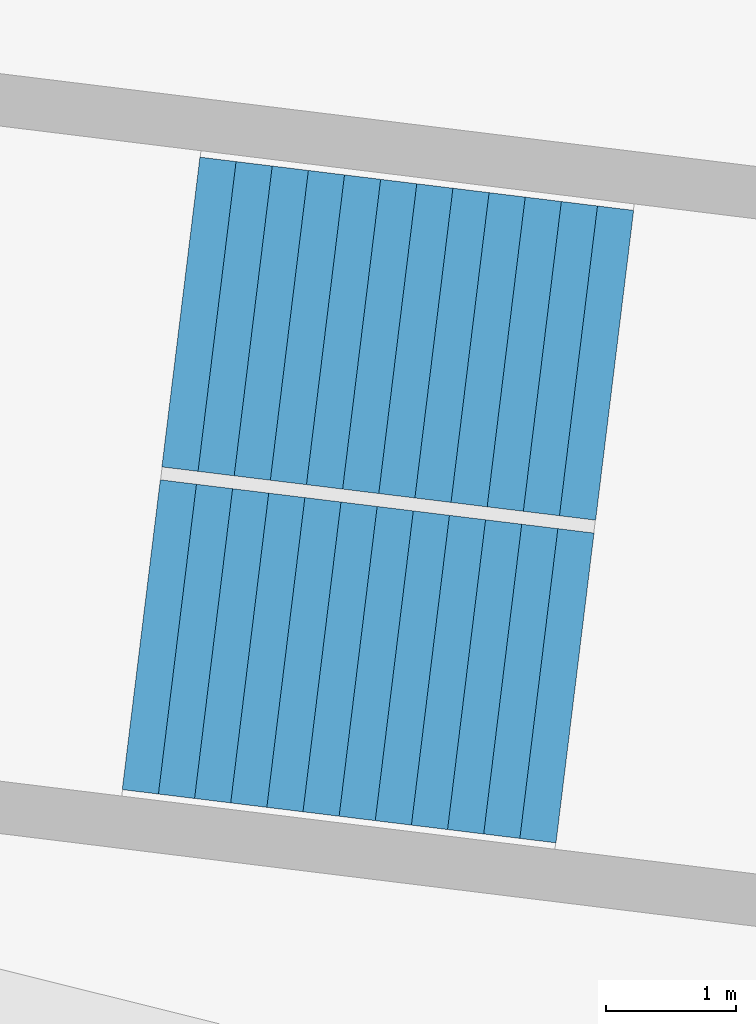
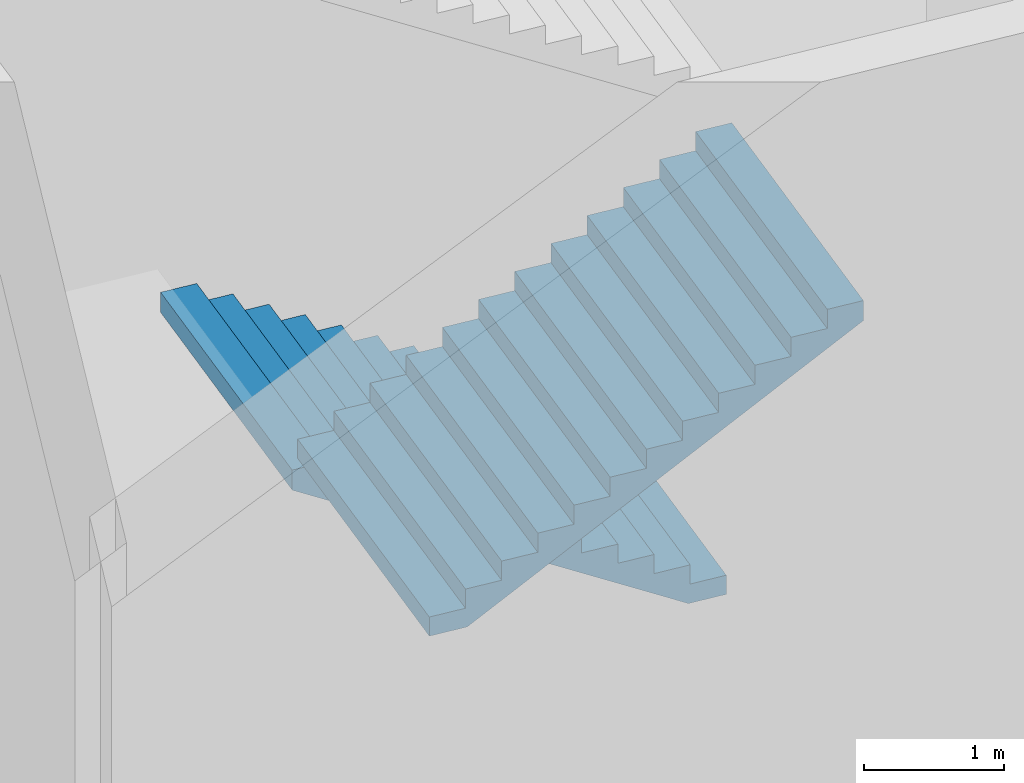
# One storey, part 38 of 47: 2 stair flights, 1 element without a shape of its own.
"""IFC4 building model written with IfcOpenShell, lengths in metres."""

from ifc_helpers import new_model, si_unit, direction, frame, origin, place, context, subcontext, project, spatial, triangles, material, type_object, element, aggregate, save


model = new_model("IFC4")

# Units and contexts
model_context = context("Model", 3, precision=1e-05, world=origin(), true_north=direction((0.0, 1.0)))
body_context = subcontext(model_context, "Body", "Model", "MODEL_VIEW")
ifc_project = project(units=[si_unit("LENGTHUNIT", "METRE"), si_unit("AREAUNIT", "SQUARE_METRE"), si_unit("VOLUMEUNIT", "CUBIC_METRE"), si_unit("PLANEANGLEUNIT", "RADIAN"), si_unit("MASSUNIT", "GRAM", prefix="KILO")], contexts=[model_context])

# Site, building, storey
site_placement = place(None, origin())
site = spatial("IfcSite", under=ifc_project, at=site_placement, CompositionType="ELEMENT")
building_placement = place(site_placement, origin())
building = spatial("IfcBuilding", under=site, at=building_placement, Name="Lantaw Convention Tower", CompositionType="ELEMENT")
storey_placement = place(building_placement, origin())
storey = spatial("IfcBuildingStorey", under=building, at=storey_placement, Name="L00", CompositionType="ELEMENT", Elevation=0.0)

# Stair, stair flights
ifc_material = material(Name="Concrete C35/45", Category="concrete")
stair_type = type_object("IfcStairType", Name="Exit stair 2400 riser 166.67 in 3 flights", PredefinedType="HALF_TURN_STAIR", material=ifc_material)
stair_placement = place(storey_placement, origin())
stair = element("IfcStair", 1, at=stair_placement, inside=storey, type_object=stair_type, Name="Podium exit stair P13 L00", PredefinedType="HALF_TURN_STAIR")
stair_flight_type = type_object("IfcStairFlightType", Name="Stair flight 2400 riser 166.67", PredefinedType="STRAIGHT", material=ifc_material)
stair_flight_1_placement = place(storey_placement, frame((38.4970703125, -3.467529296875, 0.0), z_axis=(0.0, 0.0, 1.0), x_axis=(-0.992546151641, 0.121869343405, 0.0)))
stair_flight_1 = element("IfcStairFlight", 2, at=stair_flight_1_placement, type_object=stair_flight_type, Name="P13 flight 1", NumberOfRisers=13, NumberOfTreads=12, PredefinedType="STRAIGHT", RiserHeight=0.166666667, TreadLength=0.28, context=body_context, shape_type="Tessellation", body=[
    triangles([(0.0, 1.199951171875, 0.0), (0.0, 1.199951171875, 0.166666667), (0.28, 1.199951171875, 0.0), (0.28, 1.199951171875, 0.166666667), (0.28, 1.199951171875, 0.333333334), (0.29307345806906815, 1.199951171875, 0.0), (0.29307345806906815, 1.199951171875, 0.333333334), (0.56, 1.199951171875, 0.15888484670522912), (0.56, 1.199951171875, 0.333333334), (0.56, 1.199951171875, 0.500000001), (0.8400000000000001, 1.199951171875, 0.3255515137052291), (0.8400000000000001, 1.199951171875, 0.500000001), (0.8400000000000001, 1.199951171875, 0.666666668), (1.12, 1.199951171875, 0.49221818070522905), (1.12, 1.199951171875, 0.666666668), (1.12, 1.199951171875, 0.833333335), (1.4000000000000001, 1.199951171875, 0.658884847705229), (1.4000000000000001, 1.199951171875, 0.833333335), (1.4000000000000001, 1.199951171875, 1.000000002), (1.6800000000000002, 1.199951171875, 0.825551514705229), (1.6800000000000002, 1.199951171875, 1.000000002), (1.6800000000000002, 1.199951171875, 1.166666669), (1.9600000000000002, 1.199951171875, 0.992218181705229), (1.9600000000000002, 1.199951171875, 1.166666669), (1.9600000000000002, 1.199951171875, 1.333333336), (2.24, 1.199951171875, 1.158884848705229), (2.24, 1.199951171875, 1.333333336), (2.24, 1.199951171875, 1.5000000029999998), (2.5200000000000005, 1.199951171875, 1.325551515705229), (2.5200000000000005, 1.199951171875, 1.5000000029999998), (2.5200000000000005, 1.199951171875, 1.66666667), (2.8000000000000003, 1.199951171875, 1.492218182705229), (2.8000000000000003, 1.199951171875, 1.66666667), (2.8000000000000003, 1.199951171875, 1.833333337), (3.08, 1.199951171875, 1.6588848497052289), (3.08, 1.199951171875, 1.833333337), (3.08, 1.199951171875, 2.000000004), (3.3600000000000003, 1.199951171875, 1.825551516705229), (3.3600000000000003, 1.199951171875, 2.000000004), (0.0, -1.199951171875, 0.0), (0.0, -1.199951171875, 0.166666667), (0.28, -1.199951171875, 0.0), (0.28, -1.199951171875, 0.166666667), (0.28, -1.199951171875, 0.333333334), (0.29307345806906815, -1.199951171875, 0.0), (0.29307345806906815, -1.199951171875, 0.333333334), (0.56, -1.199951171875, 0.15888484670522912), (0.56, -1.199951171875, 0.333333334), (0.56, -1.199951171875, 0.500000001), (0.8400000000000001, -1.199951171875, 0.3255515137052291), (0.8400000000000001, -1.199951171875, 0.500000001), (0.8400000000000001, -1.199951171875, 0.666666668), (1.12, -1.199951171875, 0.49221818070522905), (1.12, -1.199951171875, 0.666666668), (1.12, -1.199951171875, 0.833333335), (1.4000000000000001, -1.199951171875, 0.658884847705229), (1.4000000000000001, -1.199951171875, 0.833333335), (1.4000000000000001, -1.199951171875, 1.000000002), (1.6800000000000002, -1.199951171875, 0.825551514705229), (1.6800000000000002, -1.199951171875, 1.000000002), (1.6800000000000002, -1.199951171875, 1.166666669), (1.9600000000000002, -1.199951171875, 0.992218181705229), (1.9600000000000002, -1.199951171875, 1.166666669), (1.9600000000000002, -1.199951171875, 1.333333336), (2.24, -1.199951171875, 1.158884848705229), (2.24, -1.199951171875, 1.333333336), (2.24, -1.199951171875, 1.5000000029999998), (2.5200000000000005, -1.199951171875, 1.325551515705229), (2.5200000000000005, -1.199951171875, 1.5000000029999998), (2.5200000000000005, -1.199951171875, 1.66666667), (2.8000000000000003, -1.199951171875, 1.492218182705229), (2.8000000000000003, -1.199951171875, 1.66666667), (2.8000000000000003, -1.199951171875, 1.833333337), (3.08, -1.199951171875, 1.6588848497052289), (3.08, -1.199951171875, 1.833333337), (3.08, -1.199951171875, 2.000000004), (3.3600000000000003, -1.199951171875, 1.825551516705229), (3.3600000000000003, -1.199951171875, 2.000000004), (0.0, 0.239990234375, 0.166666667), (0.0, 0.239990234375, 0.0), (0.0, 0.0, 0.166666667), (0.0, 0.0, 0.0), (0.0, -0.239990234375, 0.166666667), (0.0, -0.239990234375, 0.0), (0.28, 0.239990234375, 0.333333334), (0.28, 0.239990234375, 0.166666667), (0.28, 0.0, 0.333333334), (0.28, 0.0, 0.166666667), (0.28, -0.239990234375, 0.333333334), (0.28, -0.239990234375, 0.166666667), (0.56, 0.239990234375, 0.500000001), (0.56, 0.239990234375, 0.333333334), (0.56, 0.0, 0.500000001), (0.56, 0.0, 0.333333334), (0.56, -0.239990234375, 0.500000001), (0.56, -0.239990234375, 0.333333334), (0.8400000000000001, 0.239990234375, 0.666666668), (0.8400000000000001, 0.239990234375, 0.500000001), (0.8400000000000001, 0.0, 0.666666668), (0.8400000000000001, 0.0, 0.500000001), (0.8400000000000001, -0.239990234375, 0.666666668), (0.8400000000000001, -0.239990234375, 0.500000001), (1.12, 0.239990234375, 0.833333335), (1.12, 0.239990234375, 0.666666668), (1.12, 0.0, 0.833333335), (1.12, 0.0, 0.666666668), (1.12, -0.239990234375, 0.833333335), (1.12, -0.239990234375, 0.666666668), (1.4000000000000001, 0.239990234375, 1.000000002), (1.4000000000000001, 0.239990234375, 0.833333335), (1.4000000000000001, 0.0, 1.000000002), (1.4000000000000001, 0.0, 0.833333335), (1.4000000000000001, -0.239990234375, 1.000000002), (1.4000000000000001, -0.239990234375, 0.833333335), (1.6800000000000002, 0.239990234375, 1.166666669), (1.6800000000000002, 0.239990234375, 1.000000002), (1.6800000000000002, 0.0, 1.166666669), (1.6800000000000002, 0.0, 1.000000002), (1.6800000000000002, -0.239990234375, 1.166666669), (1.6800000000000002, -0.239990234375, 1.000000002), (1.9600000000000002, 0.239990234375, 1.333333336), (1.9600000000000002, 0.239990234375, 1.166666669), (1.9600000000000002, 0.0, 1.333333336), (1.9600000000000002, 0.0, 1.166666669), (1.9600000000000002, -0.239990234375, 1.333333336), (1.9600000000000002, -0.239990234375, 1.166666669), (2.24, 0.239990234375, 1.5000000029999998), (2.24, 0.239990234375, 1.333333336), (2.24, 0.0, 1.5000000029999998), (2.24, 0.0, 1.333333336), (2.24, -0.239990234375, 1.5000000029999998), (2.24, -0.239990234375, 1.333333336), (2.5200000000000005, 0.239990234375, 1.66666667), (2.5200000000000005, 0.239990234375, 1.5000000029999998), (2.5200000000000005, 0.0, 1.66666667), (2.5200000000000005, 0.0, 1.5000000029999998), (2.5200000000000005, -0.239990234375, 1.66666667), (2.5200000000000005, -0.239990234375, 1.5000000029999998), (2.8000000000000003, 0.239990234375, 1.833333337), (2.8000000000000003, 0.239990234375, 1.66666667), (2.8000000000000003, 0.0, 1.833333337), (2.8000000000000003, 0.0, 1.66666667), (2.8000000000000003, -0.239990234375, 1.833333337), (2.8000000000000003, -0.239990234375, 1.66666667), (3.08, 0.239990234375, 2.000000004), (3.08, 0.239990234375, 1.833333337), (3.08, 0.0, 2.000000004), (3.08, 0.0, 1.833333337), (3.08, -0.239990234375, 2.000000004), (3.08, -0.239990234375, 1.833333337), (0.29307345806906815, 0.239990234375, 0.333333334), (0.29307345806906815, 0.0, 0.333333334), (0.29307345806906815, -0.239990234375, 0.333333334), (3.3600000000000003, 0.239990234375, 2.000000004), (3.3600000000000003, 0.0, 2.000000004), (3.3600000000000003, -0.239990234375, 2.000000004), (3.3600000000000003, 0.239990234375, 1.8255515167052292), (3.3600000000000003, 0.0, 1.8255515167052292), (3.3600000000000003, -0.239990234375, 1.8255515167052292), (3.08, 0.239990234375, 1.6588848497052289), (3.08, 0.0, 1.6588848497052289), (3.08, -0.239990234375, 1.6588848497052289), (2.8000000000000003, 0.239990234375, 1.492218182705229), (2.8000000000000003, 0.0, 1.492218182705229), (2.8000000000000003, -0.239990234375, 1.492218182705229), (2.5200000000000005, 0.239990234375, 1.325551515705229), (2.5200000000000005, 0.0, 1.325551515705229), (2.5200000000000005, -0.239990234375, 1.325551515705229), (2.24, 0.239990234375, 1.158884848705229), (2.24, 0.0, 1.158884848705229), (2.24, -0.239990234375, 1.158884848705229), (1.9600000000000002, 0.239990234375, 0.992218181705229), (1.9600000000000002, 0.0, 0.992218181705229), (1.9600000000000002, -0.239990234375, 0.992218181705229), (1.6800000000000002, 0.239990234375, 0.825551514705229), (1.6800000000000002, 0.0, 0.825551514705229), (1.6800000000000002, -0.239990234375, 0.825551514705229), (1.4000000000000001, 0.239990234375, 0.658884847705229), (1.4000000000000001, 0.0, 0.658884847705229), (1.4000000000000001, -0.239990234375, 0.658884847705229), (1.12, 0.239990234375, 0.49221818070522905), (1.12, 0.0, 0.49221818070522905), (1.12, -0.239990234375, 0.49221818070522905), (0.8400000000000001, 0.239990234375, 0.3255515137052291), (0.8400000000000001, 0.0, 0.3255515137052291), (0.8400000000000001, -0.239990234375, 0.3255515137052291), (0.56, 0.239990234375, 0.15888484670522912), (0.56, 0.0, 0.15888484670522912), (0.56, -0.239990234375, 0.15888484670522912), (0.29307345806906815, 0.239990234375, 0.0), (0.29307345806906815, 0.0, 0.0), (0.29307345806906815, -0.239990234375, 0.0), (0.28, 0.239990234375, 0.0), (0.28, 0.0, 0.0), (0.28, -0.239990234375, 0.0)], [[1, 4, 3], [1, 2, 4], [3, 4, 6], [4, 7, 6], [4, 5, 7], [6, 9, 8], [6, 7, 9], [8, 9, 11], [9, 12, 11], [9, 10, 12], [11, 12, 14], [12, 15, 14], [12, 13, 15], [14, 15, 17], [15, 18, 17], [15, 16, 18], [17, 18, 20], [18, 21, 20], [18, 19, 21], [20, 21, 23], [21, 24, 23], [21, 22, 24], [23, 24, 26], [24, 27, 26], [24, 25, 27], [26, 27, 29], [27, 30, 29], [27, 28, 30], [29, 30, 32], [30, 33, 32], [30, 31, 33], [32, 33, 35], [33, 36, 35], [33, 34, 36], [35, 36, 38], [36, 39, 38], [36, 37, 39], [40, 42, 43], [40, 43, 41], [42, 45, 43], [43, 45, 46], [43, 46, 44], [45, 47, 48], [45, 48, 46], [47, 50, 48], [48, 50, 51], [48, 51, 49], [50, 53, 51], [51, 53, 54], [51, 54, 52], [53, 56, 54], [54, 56, 57], [54, 57, 55], [56, 59, 57], [57, 59, 60], [57, 60, 58], [59, 62, 60], [60, 62, 63], [60, 63, 61], [62, 65, 63], [63, 65, 66], [63, 66, 64], [65, 68, 66], [66, 68, 69], [66, 69, 67], [68, 71, 69], [69, 71, 72], [69, 72, 70], [71, 74, 72], [72, 74, 75], [72, 75, 73], [74, 77, 75], [75, 77, 78], [75, 78, 76], [1, 79, 2], [1, 80, 79], [80, 81, 79], [80, 82, 81], [82, 83, 81], [82, 84, 83], [84, 41, 83], [84, 40, 41], [4, 85, 5], [4, 86, 85], [86, 87, 85], [86, 88, 87], [88, 89, 87], [88, 90, 89], [90, 44, 89], [90, 43, 44], [9, 91, 10], [9, 92, 91], [92, 93, 91], [92, 94, 93], [94, 95, 93], [94, 96, 95], [96, 49, 95], [96, 48, 49], [12, 97, 13], [12, 98, 97], [98, 99, 97], [98, 100, 99], [100, 101, 99], [100, 102, 101], [102, 52, 101], [102, 51, 52], [15, 103, 16], [15, 104, 103], [104, 105, 103], [104, 106, 105], [106, 107, 105], [106, 108, 107], [108, 55, 107], [108, 54, 55], [18, 109, 19], [18, 110, 109], [110, 111, 109], [110, 112, 111], [112, 113, 111], [112, 114, 113], [114, 58, 113], [114, 57, 58], [21, 115, 22], [21, 116, 115], [116, 117, 115], [116, 118, 117], [118, 119, 117], [118, 120, 119], [120, 61, 119], [120, 60, 61], [24, 121, 25], [24, 122, 121], [122, 123, 121], [122, 124, 123], [124, 125, 123], [124, 126, 125], [126, 64, 125], [126, 63, 64], [27, 127, 28], [27, 128, 127], [128, 129, 127], [128, 130, 129], [130, 131, 129], [130, 132, 131], [132, 67, 131], [132, 66, 67], [30, 133, 31], [30, 134, 133], [134, 135, 133], [134, 136, 135], [136, 137, 135], [136, 138, 137], [138, 70, 137], [138, 69, 70], [33, 139, 34], [33, 140, 139], [140, 141, 139], [140, 142, 141], [142, 143, 141], [142, 144, 143], [144, 73, 143], [144, 72, 73], [36, 145, 37], [36, 146, 145], [146, 147, 145], [146, 148, 147], [148, 149, 147], [148, 150, 149], [150, 76, 149], [150, 75, 76], [2, 86, 4], [2, 79, 86], [79, 88, 86], [79, 81, 88], [81, 90, 88], [81, 83, 90], [83, 43, 90], [83, 41, 43], [5, 151, 7], [5, 85, 151], [85, 152, 151], [85, 87, 152], [87, 153, 152], [87, 89, 153], [89, 46, 153], [89, 44, 46], [7, 92, 9], [7, 151, 92], [151, 94, 92], [151, 152, 94], [152, 96, 94], [152, 153, 96], [153, 48, 96], [153, 46, 48], [10, 98, 12], [10, 91, 98], [91, 100, 98], [91, 93, 100], [93, 102, 100], [93, 95, 102], [95, 51, 102], [95, 49, 51], [13, 104, 15], [13, 97, 104], [97, 106, 104], [97, 99, 106], [99, 108, 106], [99, 101, 108], [101, 54, 108], [101, 52, 54], [16, 110, 18], [16, 103, 110], [103, 112, 110], [103, 105, 112], [105, 114, 112], [105, 107, 114], [107, 57, 114], [107, 55, 57], [19, 116, 21], [19, 109, 116], [109, 118, 116], [109, 111, 118], [111, 120, 118], [111, 113, 120], [113, 60, 120], [113, 58, 60], [22, 122, 24], [22, 115, 122], [115, 124, 122], [115, 117, 124], [117, 126, 124], [117, 119, 126], [119, 63, 126], [119, 61, 63], [25, 128, 27], [25, 121, 128], [121, 130, 128], [121, 123, 130], [123, 132, 130], [123, 125, 132], [125, 66, 132], [125, 64, 66], [28, 134, 30], [28, 127, 134], [127, 136, 134], [127, 129, 136], [129, 138, 136], [129, 131, 138], [131, 69, 138], [131, 67, 69], [31, 140, 33], [31, 133, 140], [133, 142, 140], [133, 135, 142], [135, 144, 142], [135, 137, 144], [137, 72, 144], [137, 70, 72], [34, 146, 36], [34, 139, 146], [139, 148, 146], [139, 141, 148], [141, 150, 148], [141, 143, 150], [143, 75, 150], [143, 73, 75], [37, 154, 39], [37, 145, 154], [145, 155, 154], [145, 147, 155], [147, 156, 155], [147, 149, 156], [149, 78, 156], [149, 76, 78], [39, 157, 38], [39, 154, 157], [154, 158, 157], [154, 155, 158], [155, 159, 158], [155, 156, 159], [156, 77, 159], [156, 78, 77], [38, 160, 35], [38, 157, 160], [157, 161, 160], [157, 158, 161], [158, 162, 161], [158, 159, 162], [159, 74, 162], [159, 77, 74], [35, 163, 32], [35, 160, 163], [160, 164, 163], [160, 161, 164], [161, 165, 164], [161, 162, 165], [162, 71, 165], [162, 74, 71], [32, 166, 29], [32, 163, 166], [163, 167, 166], [163, 164, 167], [164, 168, 167], [164, 165, 168], [165, 68, 168], [165, 71, 68], [29, 169, 26], [29, 166, 169], [166, 170, 169], [166, 167, 170], [167, 171, 170], [167, 168, 171], [168, 65, 171], [168, 68, 65], [26, 172, 23], [26, 169, 172], [169, 173, 172], [169, 170, 173], [170, 174, 173], [170, 171, 174], [171, 62, 174], [171, 65, 62], [23, 175, 20], [23, 172, 175], [172, 176, 175], [172, 173, 176], [173, 177, 176], [173, 174, 177], [174, 59, 177], [174, 62, 59], [20, 178, 17], [20, 175, 178], [175, 179, 178], [175, 176, 179], [176, 180, 179], [176, 177, 180], [177, 56, 180], [177, 59, 56], [17, 181, 14], [17, 178, 181], [178, 182, 181], [178, 179, 182], [179, 183, 182], [179, 180, 183], [180, 53, 183], [180, 56, 53], [14, 184, 11], [14, 181, 184], [181, 185, 184], [181, 182, 185], [182, 186, 185], [182, 183, 186], [183, 50, 186], [183, 53, 50], [11, 187, 8], [11, 184, 187], [184, 188, 187], [184, 185, 188], [185, 189, 188], [185, 186, 189], [186, 47, 189], [186, 50, 47], [8, 190, 6], [8, 187, 190], [187, 191, 190], [187, 188, 191], [188, 192, 191], [188, 189, 192], [189, 45, 192], [189, 47, 45], [6, 193, 3], [6, 190, 193], [190, 194, 193], [190, 191, 194], [191, 195, 194], [191, 192, 195], [192, 42, 195], [192, 45, 42], [3, 80, 1], [3, 193, 80], [193, 82, 80], [193, 194, 82], [194, 84, 82], [194, 195, 84], [195, 40, 84], [195, 42, 40]], closed=True),
])
stair_flight_2_placement = place(storey_placement, frame((34.857421875, -5.539306640625, 2.166748046875), z_axis=(0.0, 0.0, 1.0), x_axis=(0.992546151641, -0.121869343405, 0.0)))
stair_flight_2 = element("IfcStairFlight", 3, at=stair_flight_2_placement, type_object=stair_flight_type, Name="P13 flight 2", NumberOfRisers=13, NumberOfTreads=12, PredefinedType="STRAIGHT", RiserHeight=0.166666667, TreadLength=0.28, context=body_context, shape_type="Tessellation", body=[
    triangles([(0.0, 1.199951171875, 0.0), (0.0, 1.199951171875, 0.166666667), (0.28, 1.199951171875, 0.0), (0.28, 1.199951171875, 0.166666667), (0.28, 1.199951171875, 0.333333334), (0.29307345806906815, 1.199951171875, 0.0), (0.29307345806906815, 1.199951171875, 0.333333334), (0.56, 1.199951171875, 0.15888484670522912), (0.56, 1.199951171875, 0.333333334), (0.56, 1.199951171875, 0.500000001), (0.8400000000000001, 1.199951171875, 0.3255515137052291), (0.8400000000000001, 1.199951171875, 0.500000001), (0.8400000000000001, 1.199951171875, 0.666666668), (1.12, 1.199951171875, 0.49221818070522905), (1.12, 1.199951171875, 0.666666668), (1.12, 1.199951171875, 0.833333335), (1.4000000000000001, 1.199951171875, 0.658884847705229), (1.4000000000000001, 1.199951171875, 0.833333335), (1.4000000000000001, 1.199951171875, 1.000000002), (1.6800000000000002, 1.199951171875, 0.825551514705229), (1.6800000000000002, 1.199951171875, 1.000000002), (1.6800000000000002, 1.199951171875, 1.166666669), (1.9600000000000002, 1.199951171875, 0.992218181705229), (1.9600000000000002, 1.199951171875, 1.166666669), (1.9600000000000002, 1.199951171875, 1.333333336), (2.24, 1.199951171875, 1.158884848705229), (2.24, 1.199951171875, 1.333333336), (2.24, 1.199951171875, 1.5000000029999998), (2.5200000000000005, 1.199951171875, 1.325551515705229), (2.5200000000000005, 1.199951171875, 1.5000000029999998), (2.5200000000000005, 1.199951171875, 1.66666667), (2.8000000000000003, 1.199951171875, 1.492218182705229), (2.8000000000000003, 1.199951171875, 1.66666667), (2.8000000000000003, 1.199951171875, 1.833333337), (3.08, 1.199951171875, 1.6588848497052289), (3.08, 1.199951171875, 1.833333337), (3.08, 1.199951171875, 2.000000004), (3.3600000000000003, 1.199951171875, 1.825551516705229), (3.3600000000000003, 1.199951171875, 2.000000004), (0.0, -1.199951171875, 0.0), (0.0, -1.199951171875, 0.166666667), (0.28, -1.199951171875, 0.0), (0.28, -1.199951171875, 0.166666667), (0.28, -1.199951171875, 0.333333334), (0.29307345806906815, -1.199951171875, 0.0), (0.29307345806906815, -1.199951171875, 0.333333334), (0.56, -1.199951171875, 0.15888484670522912), (0.56, -1.199951171875, 0.333333334), (0.56, -1.199951171875, 0.500000001), (0.8400000000000001, -1.199951171875, 0.3255515137052291), (0.8400000000000001, -1.199951171875, 0.500000001), (0.8400000000000001, -1.199951171875, 0.666666668), (1.12, -1.199951171875, 0.49221818070522905), (1.12, -1.199951171875, 0.666666668), (1.12, -1.199951171875, 0.833333335), (1.4000000000000001, -1.199951171875, 0.658884847705229), (1.4000000000000001, -1.199951171875, 0.833333335), (1.4000000000000001, -1.199951171875, 1.000000002), (1.6800000000000002, -1.199951171875, 0.825551514705229), (1.6800000000000002, -1.199951171875, 1.000000002), (1.6800000000000002, -1.199951171875, 1.166666669), (1.9600000000000002, -1.199951171875, 0.992218181705229), (1.9600000000000002, -1.199951171875, 1.166666669), (1.9600000000000002, -1.199951171875, 1.333333336), (2.24, -1.199951171875, 1.158884848705229), (2.24, -1.199951171875, 1.333333336), (2.24, -1.199951171875, 1.5000000029999998), (2.5200000000000005, -1.199951171875, 1.325551515705229), (2.5200000000000005, -1.199951171875, 1.5000000029999998), (2.5200000000000005, -1.199951171875, 1.66666667), (2.8000000000000003, -1.199951171875, 1.492218182705229), (2.8000000000000003, -1.199951171875, 1.66666667), (2.8000000000000003, -1.199951171875, 1.833333337), (3.08, -1.199951171875, 1.6588848497052289), (3.08, -1.199951171875, 1.833333337), (3.08, -1.199951171875, 2.000000004), (3.3600000000000003, -1.199951171875, 1.825551516705229), (3.3600000000000003, -1.199951171875, 2.000000004), (0.0, 0.239990234375, 0.166666667), (0.0, 0.239990234375, 0.0), (0.0, 0.0, 0.166666667), (0.0, 0.0, 0.0), (0.0, -0.239990234375, 0.166666667), (0.0, -0.239990234375, 0.0), (0.28, 0.239990234375, 0.333333334), (0.28, 0.239990234375, 0.166666667), (0.28, 0.0, 0.333333334), (0.28, 0.0, 0.166666667), (0.28, -0.239990234375, 0.333333334), (0.28, -0.239990234375, 0.166666667), (0.56, 0.239990234375, 0.500000001), (0.56, 0.239990234375, 0.333333334), (0.56, 0.0, 0.500000001), (0.56, 0.0, 0.333333334), (0.56, -0.239990234375, 0.500000001), (0.56, -0.239990234375, 0.333333334), (0.8400000000000001, 0.239990234375, 0.666666668), (0.8400000000000001, 0.239990234375, 0.500000001), (0.8400000000000001, 0.0, 0.666666668), (0.8400000000000001, 0.0, 0.500000001), (0.8400000000000001, -0.239990234375, 0.666666668), (0.8400000000000001, -0.239990234375, 0.500000001), (1.12, 0.239990234375, 0.833333335), (1.12, 0.239990234375, 0.666666668), (1.12, 0.0, 0.833333335), (1.12, 0.0, 0.666666668), (1.12, -0.239990234375, 0.833333335), (1.12, -0.239990234375, 0.666666668), (1.4000000000000001, 0.239990234375, 1.000000002), (1.4000000000000001, 0.239990234375, 0.833333335), (1.4000000000000001, 0.0, 1.000000002), (1.4000000000000001, 0.0, 0.833333335), (1.4000000000000001, -0.239990234375, 1.000000002), (1.4000000000000001, -0.239990234375, 0.833333335), (1.6800000000000002, 0.239990234375, 1.166666669), (1.6800000000000002, 0.239990234375, 1.000000002), (1.6800000000000002, 0.0, 1.166666669), (1.6800000000000002, 0.0, 1.000000002), (1.6800000000000002, -0.239990234375, 1.166666669), (1.6800000000000002, -0.239990234375, 1.000000002), (1.9600000000000002, 0.239990234375, 1.333333336), (1.9600000000000002, 0.239990234375, 1.166666669), (1.9600000000000002, 0.0, 1.333333336), (1.9600000000000002, 0.0, 1.166666669), (1.9600000000000002, -0.239990234375, 1.333333336), (1.9600000000000002, -0.239990234375, 1.166666669), (2.24, 0.239990234375, 1.5000000029999998), (2.24, 0.239990234375, 1.333333336), (2.24, 0.0, 1.5000000029999998), (2.24, 0.0, 1.333333336), (2.24, -0.239990234375, 1.5000000029999998), (2.24, -0.239990234375, 1.333333336), (2.5200000000000005, 0.239990234375, 1.66666667), (2.5200000000000005, 0.239990234375, 1.5000000029999998), (2.5200000000000005, 0.0, 1.66666667), (2.5200000000000005, 0.0, 1.5000000029999998), (2.5200000000000005, -0.239990234375, 1.66666667), (2.5200000000000005, -0.239990234375, 1.5000000029999998), (2.8000000000000003, 0.239990234375, 1.833333337), (2.8000000000000003, 0.239990234375, 1.66666667), (2.8000000000000003, 0.0, 1.833333337), (2.8000000000000003, 0.0, 1.66666667), (2.8000000000000003, -0.239990234375, 1.833333337), (2.8000000000000003, -0.239990234375, 1.66666667), (3.08, 0.239990234375, 2.000000004), (3.08, 0.239990234375, 1.833333337), (3.08, 0.0, 2.000000004), (3.08, 0.0, 1.833333337), (3.08, -0.239990234375, 2.000000004), (3.08, -0.239990234375, 1.833333337), (0.29307345806906815, 0.239990234375, 0.333333334), (0.29307345806906815, 0.0, 0.333333334), (0.29307345806906815, -0.239990234375, 0.333333334), (3.3600000000000003, 0.239990234375, 2.000000004), (3.3600000000000003, 0.0, 2.000000004), (3.3600000000000003, -0.239990234375, 2.000000004), (3.3600000000000003, 0.239990234375, 1.8255515167052292), (3.3600000000000003, 0.0, 1.8255515167052292), (3.3600000000000003, -0.239990234375, 1.8255515167052292), (3.08, 0.239990234375, 1.6588848497052289), (3.08, 0.0, 1.6588848497052289), (3.08, -0.239990234375, 1.6588848497052289), (2.8000000000000003, 0.239990234375, 1.492218182705229), (2.8000000000000003, 0.0, 1.492218182705229), (2.8000000000000003, -0.239990234375, 1.492218182705229), (2.5200000000000005, 0.239990234375, 1.325551515705229), (2.5200000000000005, 0.0, 1.325551515705229), (2.5200000000000005, -0.239990234375, 1.325551515705229), (2.24, 0.239990234375, 1.158884848705229), (2.24, 0.0, 1.158884848705229), (2.24, -0.239990234375, 1.158884848705229), (1.9600000000000002, 0.239990234375, 0.992218181705229), (1.9600000000000002, 0.0, 0.992218181705229), (1.9600000000000002, -0.239990234375, 0.992218181705229), (1.6800000000000002, 0.239990234375, 0.825551514705229), (1.6800000000000002, 0.0, 0.825551514705229), (1.6800000000000002, -0.239990234375, 0.825551514705229), (1.4000000000000001, 0.239990234375, 0.658884847705229), (1.4000000000000001, 0.0, 0.658884847705229), (1.4000000000000001, -0.239990234375, 0.658884847705229), (1.12, 0.239990234375, 0.49221818070522905), (1.12, 0.0, 0.49221818070522905), (1.12, -0.239990234375, 0.49221818070522905), (0.8400000000000001, 0.239990234375, 0.3255515137052291), (0.8400000000000001, 0.0, 0.3255515137052291), (0.8400000000000001, -0.239990234375, 0.3255515137052291), (0.56, 0.239990234375, 0.15888484670522912), (0.56, 0.0, 0.15888484670522912), (0.56, -0.239990234375, 0.15888484670522912), (0.29307345806906815, 0.239990234375, 0.0), (0.29307345806906815, 0.0, 0.0), (0.29307345806906815, -0.239990234375, 0.0), (0.28, 0.239990234375, 0.0), (0.28, 0.0, 0.0), (0.28, -0.239990234375, 0.0)], [[1, 4, 3], [1, 2, 4], [3, 4, 6], [4, 7, 6], [4, 5, 7], [6, 9, 8], [6, 7, 9], [8, 9, 11], [9, 12, 11], [9, 10, 12], [11, 12, 14], [12, 15, 14], [12, 13, 15], [14, 15, 17], [15, 18, 17], [15, 16, 18], [17, 18, 20], [18, 21, 20], [18, 19, 21], [20, 21, 23], [21, 24, 23], [21, 22, 24], [23, 24, 26], [24, 27, 26], [24, 25, 27], [26, 27, 29], [27, 30, 29], [27, 28, 30], [29, 30, 32], [30, 33, 32], [30, 31, 33], [32, 33, 35], [33, 36, 35], [33, 34, 36], [35, 36, 38], [36, 39, 38], [36, 37, 39], [40, 42, 43], [40, 43, 41], [42, 45, 43], [43, 45, 46], [43, 46, 44], [45, 47, 48], [45, 48, 46], [47, 50, 48], [48, 50, 51], [48, 51, 49], [50, 53, 51], [51, 53, 54], [51, 54, 52], [53, 56, 54], [54, 56, 57], [54, 57, 55], [56, 59, 57], [57, 59, 60], [57, 60, 58], [59, 62, 60], [60, 62, 63], [60, 63, 61], [62, 65, 63], [63, 65, 66], [63, 66, 64], [65, 68, 66], [66, 68, 69], [66, 69, 67], [68, 71, 69], [69, 71, 72], [69, 72, 70], [71, 74, 72], [72, 74, 75], [72, 75, 73], [74, 77, 75], [75, 77, 78], [75, 78, 76], [1, 79, 2], [1, 80, 79], [80, 81, 79], [80, 82, 81], [82, 83, 81], [82, 84, 83], [84, 41, 83], [84, 40, 41], [4, 85, 5], [4, 86, 85], [86, 87, 85], [86, 88, 87], [88, 89, 87], [88, 90, 89], [90, 44, 89], [90, 43, 44], [9, 91, 10], [9, 92, 91], [92, 93, 91], [92, 94, 93], [94, 95, 93], [94, 96, 95], [96, 49, 95], [96, 48, 49], [12, 97, 13], [12, 98, 97], [98, 99, 97], [98, 100, 99], [100, 101, 99], [100, 102, 101], [102, 52, 101], [102, 51, 52], [15, 103, 16], [15, 104, 103], [104, 105, 103], [104, 106, 105], [106, 107, 105], [106, 108, 107], [108, 55, 107], [108, 54, 55], [18, 109, 19], [18, 110, 109], [110, 111, 109], [110, 112, 111], [112, 113, 111], [112, 114, 113], [114, 58, 113], [114, 57, 58], [21, 115, 22], [21, 116, 115], [116, 117, 115], [116, 118, 117], [118, 119, 117], [118, 120, 119], [120, 61, 119], [120, 60, 61], [24, 121, 25], [24, 122, 121], [122, 123, 121], [122, 124, 123], [124, 125, 123], [124, 126, 125], [126, 64, 125], [126, 63, 64], [27, 127, 28], [27, 128, 127], [128, 129, 127], [128, 130, 129], [130, 131, 129], [130, 132, 131], [132, 67, 131], [132, 66, 67], [30, 133, 31], [30, 134, 133], [134, 135, 133], [134, 136, 135], [136, 137, 135], [136, 138, 137], [138, 70, 137], [138, 69, 70], [33, 139, 34], [33, 140, 139], [140, 141, 139], [140, 142, 141], [142, 143, 141], [142, 144, 143], [144, 73, 143], [144, 72, 73], [36, 145, 37], [36, 146, 145], [146, 147, 145], [146, 148, 147], [148, 149, 147], [148, 150, 149], [150, 76, 149], [150, 75, 76], [2, 86, 4], [2, 79, 86], [79, 88, 86], [79, 81, 88], [81, 90, 88], [81, 83, 90], [83, 43, 90], [83, 41, 43], [5, 151, 7], [5, 85, 151], [85, 152, 151], [85, 87, 152], [87, 153, 152], [87, 89, 153], [89, 46, 153], [89, 44, 46], [7, 92, 9], [7, 151, 92], [151, 94, 92], [151, 152, 94], [152, 96, 94], [152, 153, 96], [153, 48, 96], [153, 46, 48], [10, 98, 12], [10, 91, 98], [91, 100, 98], [91, 93, 100], [93, 102, 100], [93, 95, 102], [95, 51, 102], [95, 49, 51], [13, 104, 15], [13, 97, 104], [97, 106, 104], [97, 99, 106], [99, 108, 106], [99, 101, 108], [101, 54, 108], [101, 52, 54], [16, 110, 18], [16, 103, 110], [103, 112, 110], [103, 105, 112], [105, 114, 112], [105, 107, 114], [107, 57, 114], [107, 55, 57], [19, 116, 21], [19, 109, 116], [109, 118, 116], [109, 111, 118], [111, 120, 118], [111, 113, 120], [113, 60, 120], [113, 58, 60], [22, 122, 24], [22, 115, 122], [115, 124, 122], [115, 117, 124], [117, 126, 124], [117, 119, 126], [119, 63, 126], [119, 61, 63], [25, 128, 27], [25, 121, 128], [121, 130, 128], [121, 123, 130], [123, 132, 130], [123, 125, 132], [125, 66, 132], [125, 64, 66], [28, 134, 30], [28, 127, 134], [127, 136, 134], [127, 129, 136], [129, 138, 136], [129, 131, 138], [131, 69, 138], [131, 67, 69], [31, 140, 33], [31, 133, 140], [133, 142, 140], [133, 135, 142], [135, 144, 142], [135, 137, 144], [137, 72, 144], [137, 70, 72], [34, 146, 36], [34, 139, 146], [139, 148, 146], [139, 141, 148], [141, 150, 148], [141, 143, 150], [143, 75, 150], [143, 73, 75], [37, 154, 39], [37, 145, 154], [145, 155, 154], [145, 147, 155], [147, 156, 155], [147, 149, 156], [149, 78, 156], [149, 76, 78], [39, 157, 38], [39, 154, 157], [154, 158, 157], [154, 155, 158], [155, 159, 158], [155, 156, 159], [156, 77, 159], [156, 78, 77], [38, 160, 35], [38, 157, 160], [157, 161, 160], [157, 158, 161], [158, 162, 161], [158, 159, 162], [159, 74, 162], [159, 77, 74], [35, 163, 32], [35, 160, 163], [160, 164, 163], [160, 161, 164], [161, 165, 164], [161, 162, 165], [162, 71, 165], [162, 74, 71], [32, 166, 29], [32, 163, 166], [163, 167, 166], [163, 164, 167], [164, 168, 167], [164, 165, 168], [165, 68, 168], [165, 71, 68], [29, 169, 26], [29, 166, 169], [166, 170, 169], [166, 167, 170], [167, 171, 170], [167, 168, 171], [168, 65, 171], [168, 68, 65], [26, 172, 23], [26, 169, 172], [169, 173, 172], [169, 170, 173], [170, 174, 173], [170, 171, 174], [171, 62, 174], [171, 65, 62], [23, 175, 20], [23, 172, 175], [172, 176, 175], [172, 173, 176], [173, 177, 176], [173, 174, 177], [174, 59, 177], [174, 62, 59], [20, 178, 17], [20, 175, 178], [175, 179, 178], [175, 176, 179], [176, 180, 179], [176, 177, 180], [177, 56, 180], [177, 59, 56], [17, 181, 14], [17, 178, 181], [178, 182, 181], [178, 179, 182], [179, 183, 182], [179, 180, 183], [180, 53, 183], [180, 56, 53], [14, 184, 11], [14, 181, 184], [181, 185, 184], [181, 182, 185], [182, 186, 185], [182, 183, 186], [183, 50, 186], [183, 53, 50], [11, 187, 8], [11, 184, 187], [184, 188, 187], [184, 185, 188], [185, 189, 188], [185, 186, 189], [186, 47, 189], [186, 50, 47], [8, 190, 6], [8, 187, 190], [187, 191, 190], [187, 188, 191], [188, 192, 191], [188, 189, 192], [189, 45, 192], [189, 47, 45], [6, 193, 3], [6, 190, 193], [190, 194, 193], [190, 191, 194], [191, 195, 194], [191, 192, 195], [192, 42, 195], [192, 45, 42], [3, 80, 1], [3, 193, 80], [193, 82, 80], [193, 194, 82], [194, 84, 82], [194, 195, 84], [195, 40, 84], [195, 42, 40]], closed=True),
])
aggregate(stair, [stair_flight_1, stair_flight_2])

save(model, "model.ifc")
